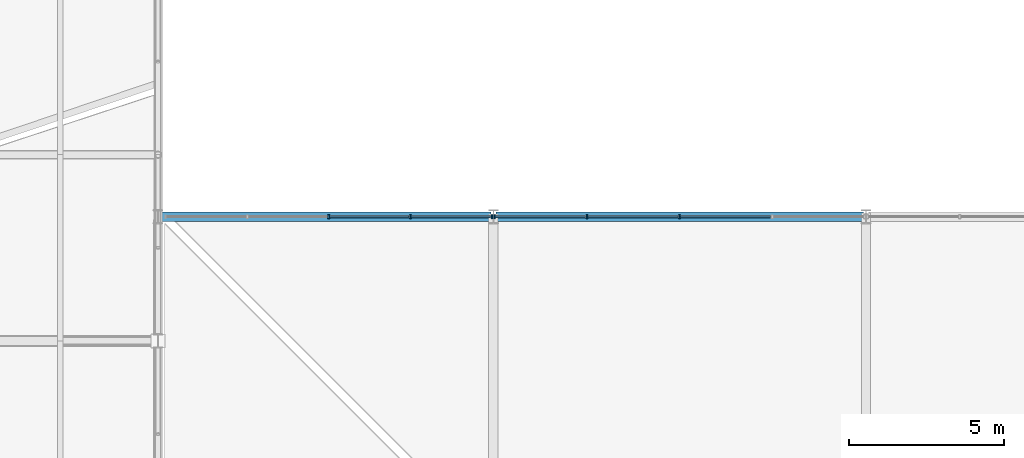
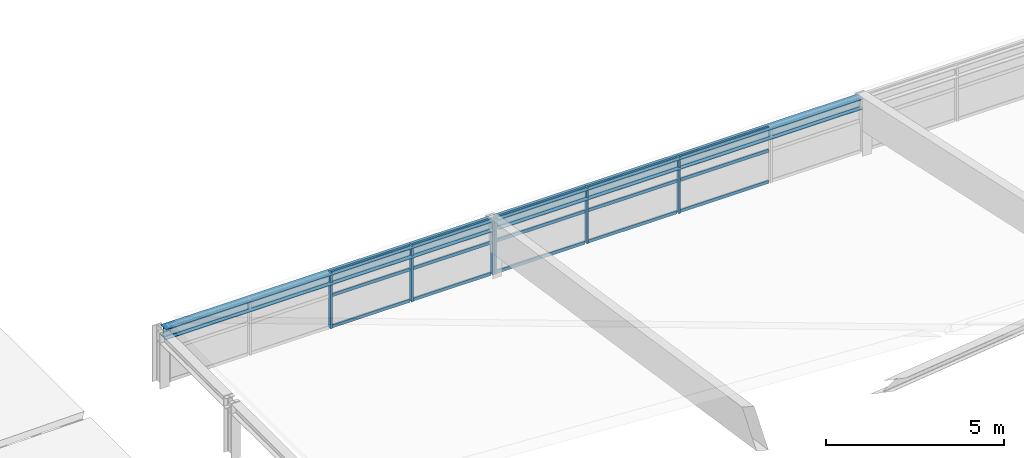
# One storey, part 47 of 80: 21 members, 2 beams, 2 elements without a shape of their own.
"""IFC4 building model written with IfcOpenShell, lengths in metres."""

from ifc_helpers import new_model, si_unit, direction, frame, origin, origin_2d, place, context, subcontext, project, spatial, rectangle, i_section, extrude, material, material_profile, profile_set, type_object, element, aggregate, save


model = new_model("IFC4")

# Units and contexts
model_context = context("Model", 3, precision=1e-05, world=origin(), true_north=direction((0.0, 1.0)))
body_context = subcontext(model_context, "Body", "Model", "MODEL_VIEW")
ifc_project = project(units=[si_unit("LENGTHUNIT", "METRE"), si_unit("AREAUNIT", "SQUARE_METRE"), si_unit("VOLUMEUNIT", "CUBIC_METRE"), si_unit("PLANEANGLEUNIT", "RADIAN"), si_unit("MASSUNIT", "GRAM", prefix="KILO"), si_unit("THERMODYNAMICTEMPERATUREUNIT", "KELVIN"), si_unit("POWERUNIT", "WATT")], contexts=[model_context])

# Site, building, storey
site_placement = place(None, origin())
site = spatial("IfcSite", under=ifc_project, at=site_placement, CompositionType="ELEMENT")
building_placement = place(site_placement, origin())
building = spatial("IfcBuilding", under=site, at=building_placement, Name="Solmara Park Aquatics Centre", CompositionType="ELEMENT")
storey_placement = place(building_placement, frame((0.0, 0.0, 22.800048828125)))
storey = spatial("IfcBuildingStorey", under=building, at=storey_placement, Name="RF", CompositionType="ELEMENT", Elevation=22.800048828125)

# Curtain wall, members
ifc_material_1 = material(Name="Anodised Aluminium Curtain Wall Framing", Category="aluminium")
curtain_wall_type = type_object("IfcCurtainWallType", Name="ARC-CW-SYS06", PredefinedType="USERDEFINED", material=ifc_material_1)
curtain_wall_1_placement = place(storey_placement, origin())
curtain_wall_1 = element("IfcCurtainWall", 1, at=curtain_wall_1_placement, inside=storey, type_object=curtain_wall_type, Name="Curtain Wall CW-084", ObjectType="CURTAIN WALL", PredefinedType="USERDEFINED")
ifc_material_2 = material(Name="Anodised Aluminium Alloy 6063-T6", Category="aluminium")
ifc_material_profile_1 = material_profile(ifc_material_2, rectangle(XDim=0.054931640625, YDim=0.139892578125, at=origin_2d()), Name="ALU MULLION 55x140")
ifc_profile_set_1 = profile_set([ifc_material_profile_1], Name="Anodised Aluminium Alloy 6063-T6")
member_type_1 = type_object("IfcMemberType", Name="ARC-CWM-55x140", PredefinedType="MULLION", material=ifc_profile_set_1)
member_1_placement = place(storey_placement, frame((114.699951171875, 52.60009765625, -8.400146484375), z_axis=(0.0, 0.0, 1.0), x_axis=(1.0, 0.0, 0.0)))
member_1 = element("IfcMember", 2, at=member_1_placement, type_object=member_type_1, Name="CW-084 mullion 3", PredefinedType="MULLION", context=body_context, shape_type="SweptSolid", body=[
    extrude(rectangle(XDim=0.054931640625, YDim=0.139892578125, at=origin_2d()), origin(), (0.0, 0.0, 1.0), 1.920166015625),
])
member_2_placement = place(storey_placement, frame((117.330078125, 52.60009765625, -8.400146484375), z_axis=(0.0, 0.0, 1.0), x_axis=(1.0, 0.0, 0.0)))
member_2 = element("IfcMember", 3, at=member_2_placement, type_object=member_type_1, Name="CW-084 mullion 4", PredefinedType="MULLION", context=body_context, shape_type="SweptSolid", body=[
    extrude(rectangle(XDim=0.054931640625, YDim=0.139892578125, at=origin_2d()), origin(), (0.0, 0.0, 1.0), 1.920166015625),
])
member_3_placement = place(storey_placement, frame((119.9599609375, 52.60009765625, -8.400146484375), z_axis=(0.0, 0.0, 1.0), x_axis=(1.0, 0.0, 0.0)))
member_3 = element("IfcMember", 4, at=member_3_placement, type_object=member_type_1, Name="CW-084 mullion 5", PredefinedType="MULLION", context=body_context, shape_type="SweptSolid", body=[
    extrude(rectangle(XDim=0.054931640625, YDim=0.139892578125, at=origin_2d()), origin(), (0.0, 0.0, 1.0), 1.920166015625),
])

curtain_wall_2_placement = place(storey_placement, origin())
curtain_wall_2 = element("IfcCurtainWall", 5, at=curtain_wall_2_placement, inside=storey, type_object=curtain_wall_type, Name="Curtain Wall CW-086", ObjectType="CURTAIN WALL", PredefinedType="USERDEFINED")
member_4_placement = place(storey_placement, frame((120.0400390625, 52.60009765625, -8.400146484375), z_axis=(0.0, 0.0, 1.0), x_axis=(1.0, 0.0, 0.0)))
member_4 = element("IfcMember", 6, at=member_4_placement, type_object=member_type_1, Name="CW-086 mullion 1", PredefinedType="MULLION", context=body_context, shape_type="SweptSolid", body=[
    extrude(rectangle(XDim=0.054931640625, YDim=0.139892578125, at=origin_2d()), origin(), (0.0, 0.0, 1.0), 1.920166015625),
])
member_5_placement = place(storey_placement, frame((123.02001953125, 52.60009765625, -8.400146484375), z_axis=(0.0, 0.0, 1.0), x_axis=(1.0, 0.0, 0.0)))
member_5 = element("IfcMember", 7, at=member_5_placement, type_object=member_type_1, Name="CW-086 mullion 2", PredefinedType="MULLION", context=body_context, shape_type="SweptSolid", body=[
    extrude(rectangle(XDim=0.054931640625, YDim=0.139892578125, at=origin_2d()), origin(), (0.0, 0.0, 1.0), 1.920166015625),
])
member_6_placement = place(storey_placement, frame((126.0, 52.60009765625, -8.400146484375), z_axis=(0.0, 0.0, 1.0), x_axis=(1.0, 0.0, 0.0)))
member_6 = element("IfcMember", 8, at=member_6_placement, type_object=member_type_1, Name="CW-086 mullion 3", PredefinedType="MULLION", context=body_context, shape_type="SweptSolid", body=[
    extrude(rectangle(XDim=0.054931640625, YDim=0.139892578125, at=origin_2d()), origin(), (0.0, 0.0, 1.0), 1.920166015625),
])

# Member
ifc_material_profile_2 = material_profile(ifc_material_2, rectangle(XDim=0.054931640625, YDim=0.110107421875, at=origin_2d()), Name="ALU TRANSOM 55x110")
ifc_profile_set_2 = profile_set([ifc_material_profile_2], Name="Anodised Aluminium Alloy 6063-T6")
member_type_2 = type_object("IfcMemberType", Name="ARC-CWT-55x110", PredefinedType="USERDEFINED", material=ifc_profile_set_2)
member_7_placement = place(storey_placement, frame((114.719970703125, 52.60009765625, -8.360107421875), z_axis=(1.0, 0.0, 0.0), x_axis=(0.0, 1.0, 0.0)))
member_7 = element("IfcMember", 9, at=member_7_placement, type_object=member_type_2, Name="CW-084 transom 7", ObjectType="TRANSOM", PredefinedType="USERDEFINED", context=body_context, shape_type="SweptSolid", body=[
    extrude(rectangle(XDim=0.054931640625, YDim=0.110107421875, at=origin_2d()), origin(), (0.0, 0.0, 1.0), 2.550048828125),
])

member_8_placement = place(storey_placement, frame((114.719970703125, 52.60009765625, -7.286376953125), z_axis=(1.0, 0.0, 0.0), x_axis=(0.0, 1.0, 0.0)))
member_8 = element("IfcMember", 10, at=member_8_placement, type_object=member_type_2, Name="CW-084 transom 8", ObjectType="TRANSOM", PredefinedType="USERDEFINED", context=body_context, shape_type="SweptSolid", body=[
    extrude(rectangle(XDim=0.054931640625, YDim=0.110107421875, at=origin_2d()), origin(), (0.0, 0.0, 1.0), 2.550048828125),
])

member_9_placement = place(storey_placement, frame((114.719970703125, 52.60009765625, -6.52001953125), z_axis=(1.0, 0.0, 0.0), x_axis=(0.0, 1.0, 0.0)))
member_9 = element("IfcMember", 11, at=member_9_placement, type_object=member_type_2, Name="CW-084 transom 9", ObjectType="TRANSOM", PredefinedType="USERDEFINED", context=body_context, shape_type="SweptSolid", body=[
    extrude(rectangle(XDim=0.054931640625, YDim=0.110107421875, at=origin_2d()), origin(), (0.0, 0.0, 1.0), 2.550048828125),
])

member_10_placement = place(storey_placement, frame((117.35009765625, 52.60009765625, -8.360107421875), z_axis=(1.0, 0.0, 0.0), x_axis=(0.0, 1.0, 0.0)))
member_10 = element("IfcMember", 12, at=member_10_placement, type_object=member_type_2, Name="CW-084 transom 10", ObjectType="TRANSOM", PredefinedType="USERDEFINED", context=body_context, shape_type="SweptSolid", body=[
    extrude(rectangle(XDim=0.054931640625, YDim=0.110107421875, at=origin_2d()), origin(), (0.0, 0.0, 1.0), 2.5498046875),
])

member_11_placement = place(storey_placement, frame((117.35009765625, 52.60009765625, -7.286376953125), z_axis=(1.0, 0.0, 0.0), x_axis=(0.0, 1.0, 0.0)))
member_11 = element("IfcMember", 13, at=member_11_placement, type_object=member_type_2, Name="CW-084 transom 11", ObjectType="TRANSOM", PredefinedType="USERDEFINED", context=body_context, shape_type="SweptSolid", body=[
    extrude(rectangle(XDim=0.054931640625, YDim=0.110107421875, at=origin_2d()), origin(), (0.0, 0.0, 1.0), 2.5498046875),
])

member_12_placement = place(storey_placement, frame((117.35009765625, 52.60009765625, -6.52001953125), z_axis=(1.0, 0.0, 0.0), x_axis=(0.0, 1.0, 0.0)))
member_12 = element("IfcMember", 14, at=member_12_placement, type_object=member_type_2, Name="CW-084 transom 12", ObjectType="TRANSOM", PredefinedType="USERDEFINED", context=body_context, shape_type="SweptSolid", body=[
    extrude(rectangle(XDim=0.054931640625, YDim=0.110107421875, at=origin_2d()), origin(), (0.0, 0.0, 1.0), 2.5498046875),
])

aggregate(curtain_wall_1, [member_1, member_2, member_3, member_7, member_8, member_9, member_10, member_11, member_12])

member_13_placement = place(storey_placement, frame((120.06005859375, 52.60009765625, -8.360107421875), z_axis=(1.0, 0.0, 0.0), x_axis=(0.0, 1.0, 0.0)))
member_13 = element("IfcMember", 15, at=member_13_placement, type_object=member_type_2, Name="CW-086 transom 1", ObjectType="TRANSOM", PredefinedType="USERDEFINED", context=body_context, shape_type="SweptSolid", body=[
    extrude(rectangle(XDim=0.054931640625, YDim=0.110107421875, at=origin_2d()), origin(), (0.0, 0.0, 1.0), 2.89990234375),
])

member_14_placement = place(storey_placement, frame((120.06005859375, 52.60009765625, -7.286376953125), z_axis=(1.0, 0.0, 0.0), x_axis=(0.0, 1.0, 0.0)))
member_14 = element("IfcMember", 16, at=member_14_placement, type_object=member_type_2, Name="CW-086 transom 2", ObjectType="TRANSOM", PredefinedType="USERDEFINED", context=body_context, shape_type="SweptSolid", body=[
    extrude(rectangle(XDim=0.054931640625, YDim=0.110107421875, at=origin_2d()), origin(), (0.0, 0.0, 1.0), 2.89990234375),
])

member_15_placement = place(storey_placement, frame((120.06005859375, 52.60009765625, -6.52001953125), z_axis=(1.0, 0.0, 0.0), x_axis=(0.0, 1.0, 0.0)))
member_15 = element("IfcMember", 17, at=member_15_placement, type_object=member_type_2, Name="CW-086 transom 3", ObjectType="TRANSOM", PredefinedType="USERDEFINED", context=body_context, shape_type="SweptSolid", body=[
    extrude(rectangle(XDim=0.054931640625, YDim=0.110107421875, at=origin_2d()), origin(), (0.0, 0.0, 1.0), 2.89990234375),
])

member_16_placement = place(storey_placement, frame((123.0400390625, 52.60009765625, -8.360107421875), z_axis=(1.0, 0.0, 0.0), x_axis=(0.0, 1.0, 0.0)))
member_16 = element("IfcMember", 18, at=member_16_placement, type_object=member_type_2, Name="CW-086 transom 4", ObjectType="TRANSOM", PredefinedType="USERDEFINED", context=body_context, shape_type="SweptSolid", body=[
    extrude(rectangle(XDim=0.054931640625, YDim=0.110107421875, at=origin_2d()), origin(), (0.0, 0.0, 1.0), 2.89990234375),
])

member_17_placement = place(storey_placement, frame((123.0400390625, 52.60009765625, -7.286376953125), z_axis=(1.0, 0.0, 0.0), x_axis=(0.0, 1.0, 0.0)))
member_17 = element("IfcMember", 19, at=member_17_placement, type_object=member_type_2, Name="CW-086 transom 5", ObjectType="TRANSOM", PredefinedType="USERDEFINED", context=body_context, shape_type="SweptSolid", body=[
    extrude(rectangle(XDim=0.054931640625, YDim=0.110107421875, at=origin_2d()), origin(), (0.0, 0.0, 1.0), 2.89990234375),
])

member_18_placement = place(storey_placement, frame((123.0400390625, 52.60009765625, -6.52001953125), z_axis=(1.0, 0.0, 0.0), x_axis=(0.0, 1.0, 0.0)))
member_18 = element("IfcMember", 20, at=member_18_placement, type_object=member_type_2, Name="CW-086 transom 6", ObjectType="TRANSOM", PredefinedType="USERDEFINED", context=body_context, shape_type="SweptSolid", body=[
    extrude(rectangle(XDim=0.054931640625, YDim=0.110107421875, at=origin_2d()), origin(), (0.0, 0.0, 1.0), 2.89990234375),
])

member_19_placement = place(storey_placement, frame((126.02001953125, 52.60009765625, -8.360107421875), z_axis=(1.0, 0.0, 0.0), x_axis=(0.0, 1.0, 0.0)))
member_19 = element("IfcMember", 21, at=member_19_placement, type_object=member_type_2, Name="CW-086 transom 7", ObjectType="TRANSOM", PredefinedType="USERDEFINED", context=body_context, shape_type="SweptSolid", body=[
    extrude(rectangle(XDim=0.054931640625, YDim=0.110107421875, at=origin_2d()), origin(), (0.0, 0.0, 1.0), 2.89990234375),
])

member_20_placement = place(storey_placement, frame((126.02001953125, 52.60009765625, -7.286376953125), z_axis=(1.0, 0.0, 0.0), x_axis=(0.0, 1.0, 0.0)))
member_20 = element("IfcMember", 22, at=member_20_placement, type_object=member_type_2, Name="CW-086 transom 8", ObjectType="TRANSOM", PredefinedType="USERDEFINED", context=body_context, shape_type="SweptSolid", body=[
    extrude(rectangle(XDim=0.054931640625, YDim=0.110107421875, at=origin_2d()), origin(), (0.0, 0.0, 1.0), 2.89990234375),
])

member_21_placement = place(storey_placement, frame((126.02001953125, 52.60009765625, -6.52001953125), z_axis=(1.0, 0.0, 0.0), x_axis=(0.0, 1.0, 0.0)))
member_21 = element("IfcMember", 23, at=member_21_placement, type_object=member_type_2, Name="CW-086 transom 9", ObjectType="TRANSOM", PredefinedType="USERDEFINED", context=body_context, shape_type="SweptSolid", body=[
    extrude(rectangle(XDim=0.054931640625, YDim=0.110107421875, at=origin_2d()), origin(), (0.0, 0.0, 1.0), 2.89990234375),
])

aggregate(curtain_wall_2, [member_4, member_5, member_6, member_13, member_14, member_15, member_16, member_17, member_18, member_19, member_20, member_21])

# Beams
ifc_material_3 = material(Name="Structural Steel S355", Category="steel")
ifc_material_profile_3 = material_profile(ifc_material_3, i_section(OverallWidth=0.300048828125, OverallDepth=0.35009765625, WebThickness=0.010009765625, FlangeThickness=0.017578125, FilletRadius=0.027099609375, at=origin_2d()), Name="HEA 360")
ifc_profile_set_3 = profile_set([ifc_material_profile_3], Name="Structural Steel S355")
beam_type = type_object("IfcBeamType", Name="STR-BM-HEA360", PredefinedType="BEAM", material=ifc_profile_set_3)
beam_1_placement = place(storey_placement, frame((109.280029296875, 52.60009765625, -6.66015625), z_axis=(1.0, 0.0, 0.0), x_axis=(0.0, 1.0, 0.0)))
element("IfcBeam", 24, at=beam_1_placement, inside=storey, type_object=beam_type, Name="Diving Clerestory Ring Beam 109-52", PredefinedType="BEAM", context=body_context, shape_type="SweptSolid", body=[
    extrude(i_section(OverallWidth=0.300048828125, OverallDepth=0.35009765625, WebThickness=0.010009765625, FlangeThickness=0.017578125, FilletRadius=0.027099609375, at=origin_2d()), origin(), (0.0, 0.0, 1.0), 10.639892578125),
])
beam_2_placement = place(storey_placement, frame((120.080078125, 52.60009765625, -6.66015625), z_axis=(1.0, 0.0, 0.0), x_axis=(0.0, 1.0, 0.0)))
element("IfcBeam", 25, at=beam_2_placement, inside=storey, type_object=beam_type, Name="Diving Clerestory Ring Beam 120-52", PredefinedType="BEAM", context=body_context, shape_type="SweptSolid", body=[
    extrude(i_section(OverallWidth=0.300048828125, OverallDepth=0.35009765625, WebThickness=0.010009765625, FlangeThickness=0.017578125, FilletRadius=0.027099609375, at=origin_2d()), origin(), (0.0, 0.0, 1.0), 11.83984375),
])

save(model, "model.ifc")
